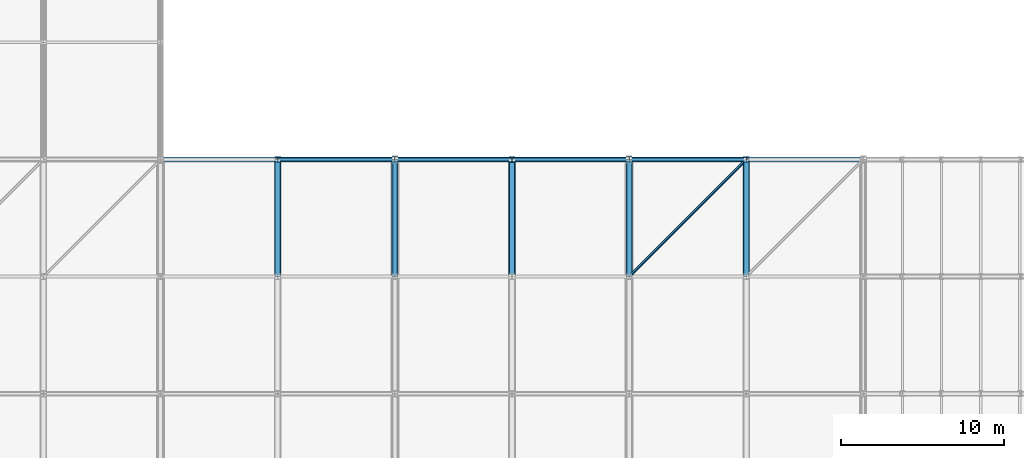
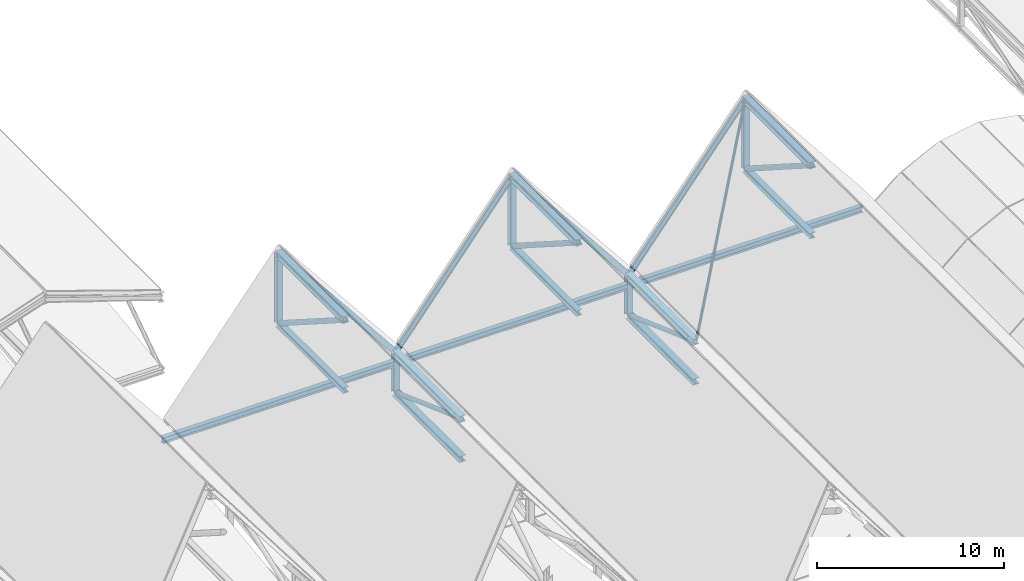
# One storey, part 32 of 60: 25 members, 3 beams.
"""IFC4 building model written with IfcOpenShell, lengths in metres."""

import ifcopenshell
import ifcopenshell.guid

model = None  # the IFC model being written
_history = None  # IfcOwnerHistory: only IFC2X3 demands one
_inside = {}  # id of a spatial element -> (the spatial element, [elements in it])
_under = {}  # id of a project, library or spatial element -> (it, [spatial elements below it])
_declared = {}  # id of a project -> (the project, [libraries it declares])
_typed = {}  # id of a type object -> (the type object, [elements of that type])
_made_of = {}  # id of a material, layer set ... -> (it, [elements and type objects made of it])


def new_model(schema):
    """Start an empty IFC model of exactly this schema.

    Asked for "IFC4X3", IfcOpenShell would pick the latest addendum, in which some entities
    have other attributes; the version numbers below select the first issue.
    IFC2X3 requires an IfcOwnerHistory on every rooted entity: one is made here for all.
    """
    global model, _history
    if schema == "IFC4X3":
        model = ifcopenshell.file(schema_version=(4, 3, 0, 0))
    else:
        model = ifcopenshell.file(schema=schema)
    _inside.clear()
    _under.clear()
    _declared.clear()
    _typed.clear()
    _made_of.clear()
    _history = None
    if model.schema == "IFC2X3":
        org = make("IfcOrganization", Name="unknown")
        user = make(
            "IfcPersonAndOrganization",
            ThePerson=make("IfcPerson", FamilyName="unknown"),
            TheOrganization=org,
        )
        app = make(
            "IfcApplication",
            ApplicationDeveloper=org,
            Version="unknown",
            ApplicationFullName="unknown",
            ApplicationIdentifier="unknown",
        )
        _history = make(
            "IfcOwnerHistory",
            OwningUser=user,
            OwningApplication=app,
            ChangeAction="ADDED",
            CreationDate=0,
        )
    return model


def make(cls, **values):
    """One entity of the class cls with the attributes given. An attribute that is None is left unset."""
    return model.create_entity(
        cls, **{name: value for name, value in values.items() if value is not None}
    )


def rooted(cls, **values):
    """An entity with a GlobalId (a new one), such as an element, a storey or a relation."""
    return make(cls, GlobalId=ifcopenshell.guid.new(), OwnerHistory=_history, **values)


def si_unit(unit_type, name, prefix=None):
    """IfcSIUnit, for example si_unit("LENGTHUNIT", "METRE", prefix="MILLI")."""
    return make("IfcSIUnit", UnitType=unit_type, Prefix=prefix, Name=name)


def assignment(units):
    """IfcUnitAssignment: the units of a project."""
    return None if units is None else make("IfcUnitAssignment", Units=units)


def point(xyz):
    """IfcCartesianPoint."""
    return None if xyz is None else make("IfcCartesianPoint", Coordinates=xyz)


def direction(xyz):
    """IfcDirection."""
    return None if xyz is None else make("IfcDirection", DirectionRatios=xyz)


def frame(location, z_axis=None, x_axis=None):
    """IfcAxis2Placement3D, a coordinate frame: its origin and axes. An axis left out is left unset."""
    return make(
        "IfcAxis2Placement3D",
        Location=point(location),
        Axis=direction(z_axis),
        RefDirection=direction(x_axis),
    )


def frame_2d(location, x_axis=None):
    """IfcAxis2Placement2D, a coordinate frame in the plane: its origin and x axis."""
    return make(
        "IfcAxis2Placement2D", Location=point(location), RefDirection=direction(x_axis)
    )


def origin():
    """The frame at (0, 0, 0) with its axes left unset."""
    return frame((0.0, 0.0, 0.0))


def origin_2d():
    """The frame at (0, 0) in the plane with its x axis left unset."""
    return frame_2d((0.0, 0.0))


def place(relative_to, where):
    """IfcLocalPlacement: puts the frame where relative to a parent placement (None: the world)."""
    return make(
        "IfcLocalPlacement", PlacementRelTo=relative_to, RelativePlacement=where
    )


def context(
    kind, dimensions, precision=None, world=None, true_north=None, identifier=None
):
    """IfcGeometricRepresentationContext, for example the 3D "Model" context."""
    return make(
        "IfcGeometricRepresentationContext",
        ContextIdentifier=identifier,
        ContextType=kind,
        CoordinateSpaceDimension=dimensions,
        Precision=precision,
        WorldCoordinateSystem=world,
        TrueNorth=true_north,
    )


def subcontext(parent, identifier, kind, view, scale=None):
    """IfcGeometricRepresentationSubContext, for example "Body" below "Model"."""
    return make(
        "IfcGeometricRepresentationSubContext",
        ContextIdentifier=identifier,
        ContextType=kind,
        ParentContext=parent,
        TargetScale=scale,
        TargetView=view,
    )


def project(units=None, contexts=None):
    """IfcProject with its units and contexts."""
    return rooted(
        "IfcProject",
        Name="project",
        RepresentationContexts=contexts,
        UnitsInContext=assignment(units),
    )


def spatial(cls, under=None, at=None, **own):
    """A site, building, storey or space (cls), placed at a placement, below another one or the project."""
    s = rooted(cls, ObjectPlacement=at, **own)
    if under is not None:
        _under.setdefault(under.id(), (under, []))[1].append(s)
    return s


def profile(cls, at=None, kind="AREA", **sizes):
    """A parametric profile (cls). Its sizes go by their IFC names, for example OverallWidth=200.0."""
    return make(cls, ProfileType=kind, Position=at, **sizes)


def hollow_circle(**sizes):
    """IfcCircleHollowProfileDef."""
    return profile("IfcCircleHollowProfileDef", **sizes)


def i_section(**sizes):
    """IfcIShapeProfileDef."""
    return profile("IfcIShapeProfileDef", **sizes)


def extrude(swept, where, along, depth):
    """IfcExtrudedAreaSolid: the profile swept, set in the frame where, extruded along a direction by depth."""
    return make(
        "IfcExtrudedAreaSolid",
        SweptArea=swept,
        Position=where,
        ExtrudedDirection=direction(along),
        Depth=depth,
    )


def shape(context_of_items, identifier, shape_type, items):
    """IfcShapeRepresentation: the items that make up one representation, for example the "Body"."""
    return make(
        "IfcShapeRepresentation",
        ContextOfItems=context_of_items,
        RepresentationIdentifier=identifier,
        RepresentationType=shape_type,
        Items=items,
    )


def material(Name=None, Category=None):
    """IfcMaterial."""
    return make("IfcMaterial", Name=Name, Category=Category)


def material_profile(
    of_material, cross_section, Name=None, Category=None, Priority=None
):
    """IfcMaterialProfile: a cross section and its material."""
    return make(
        "IfcMaterialProfile",
        Name=Name,
        Material=of_material,
        Profile=cross_section,
        Priority=Priority,
        Category=Category,
    )


def profile_set(profiles, Name=None, composite=None):
    """IfcMaterialProfileSet."""
    return make(
        "IfcMaterialProfileSet",
        Name=Name,
        MaterialProfiles=profiles,
        CompositeProfile=composite,
    )


def made_of(thing, what):
    """Note that an element or type object is made of a material, layer set ...; save() writes the relation."""
    if what is not None:
        _made_of.setdefault(what.id(), (what, []))[1].append(thing)
    return thing


def type_object(cls, material=None, **own):
    """A type object (cls), such as IfcWallType, which elements share."""
    return made_of(rooted(cls, **own), material)


def element(
    cls,
    number,
    at=None,
    inside=None,
    cuts=None,
    type_object=None,
    material=None,
    context=None,
    identifier="Body",
    shape_type=None,
    held_by="IfcProductDefinitionShape",
    body=None,
    shapes=None,
    **own,
):
    """One element of the class cls, such as IfcWall. Its Tag is "e" and its number.

    at: its placement. inside: the storey or other place that contains it. cuts: it is an
    opening in that element (IfcRelVoidsElement). A single representation is given by context,
    identifier, shape_type and body (its items); several are given by shapes. held_by: the class
    of the entity that holds the representations. save() writes the other relations.
    """
    e = rooted(cls, Tag="e%d" % number, ObjectPlacement=at, **own)
    if body is not None:
        shapes = [shape(context, identifier, shape_type, body)]
    if shapes is not None:
        e.Representation = make(held_by, Representations=shapes)
    if inside is not None:
        _inside.setdefault(inside.id(), (inside, []))[1].append(e)
    if cuts is not None:
        rooted(
            "IfcRelVoidsElement", RelatingBuildingElement=cuts, RelatedOpeningElement=e
        )
    if type_object is not None:
        _typed.setdefault(type_object.id(), (type_object, []))[1].append(e)
    return made_of(e, material)


def aggregate(whole, parts):
    """IfcRelAggregates: a whole, such as a stair, and the parts it consists of."""
    return rooted("IfcRelAggregates", RelatingObject=whole, RelatedObjects=parts)


def save(model, path):
    """Write the relations noted so far, then the file.

    IfcRelAggregates (storeys below a building ...), IfcRelContainedInSpatialStructure (elements
    in a storey), IfcRelDefinesByType, IfcRelAssociatesMaterial and IfcRelDeclares: one each for
    every whole, place, type object, material and project.
    """
    for whole, parts in _under.values():
        aggregate(whole, parts)
    for where, things in _inside.values():
        rooted(
            "IfcRelContainedInSpatialStructure",
            RelatedElements=things,
            RelatingStructure=where,
        )
    for kind, things in _typed.values():
        rooted("IfcRelDefinesByType", RelatedObjects=things, RelatingType=kind)
    for what, things in _made_of.values():
        rooted("IfcRelAssociatesMaterial", RelatedObjects=things, RelatingMaterial=what)
    for by, libraries in _declared.values():
        rooted("IfcRelDeclares", RelatingContext=by, RelatedDefinitions=libraries)
    model.write(path)


model = new_model("IFC4")

# Units and contexts
model_context = context("Model", 3, precision=1e-05, world=origin(), true_north=direction((0.0, 1.0)))
body_context = subcontext(model_context, "Body", "Model", "MODEL_VIEW")
ifc_project = project(units=[si_unit("LENGTHUNIT", "METRE"), si_unit("AREAUNIT", "SQUARE_METRE"), si_unit("VOLUMEUNIT", "CUBIC_METRE"), si_unit("PLANEANGLEUNIT", "RADIAN"), si_unit("MASSUNIT", "GRAM", prefix="KILO")], contexts=[model_context])

# Site, building, storey
site_placement = place(None, origin())
site = spatial("IfcSite", under=ifc_project, at=site_placement, CompositionType="ELEMENT")
building_placement = place(site_placement, origin())
building = spatial("IfcBuilding", under=site, at=building_placement, Name="Vesperath Aquatics Centre", CompositionType="ELEMENT")
storey_placement = place(building_placement, frame((0.0, 0.0, 27.60009765625)))
storey = spatial("IfcBuildingStorey", under=building, at=storey_placement, Name="RF", CompositionType="ELEMENT", Elevation=27.60009765625)

# Beams
ifc_material_1 = material(Name="Steel Q355C", Category="steel")
ifc_material_profile_1 = material_profile(ifc_material_1, i_section(OverallWidth=0.300048828125, OverallDepth=0.389892578125, WebThickness=0.010009765625, FlangeThickness=0.01611328125, FilletRadius=0.02197265625, at=origin_2d()), Name="HM 390x300x10x16")
ifc_profile_set_1 = profile_set([ifc_material_profile_1], Name="Steel Q355C")
beam_type = type_object("IfcBeamType", Name="BM-RB03", PredefinedType="BEAM", material=ifc_profile_set_1)
for number, where, z_axis, x_axis, name in (
    (1, (57.60009765625, 86.39990234375, -10.478759765625), (1.0, 0.0, 0.0), (0.0, 1.0, 0.0), "Natatorium Roof Deck Support Beam B11 G5-86.4"),
    (2, (72.0, 86.39990234375, -10.478759765625), (1.0, 0.0, 0.0), (0.0, 1.0, 0.0), "Natatorium Roof Deck Support Beam B11 G6-86.4"),
):
    element("IfcBeam", number, at=place(storey_placement, frame(where, z_axis=z_axis, x_axis=x_axis)), inside=storey, type_object=beam_type, Name=name, PredefinedType="BEAM", context=body_context, shape_type="SweptSolid", body=[
        extrude(i_section(OverallWidth=0.300048828125, OverallDepth=0.389892578125, WebThickness=0.010009765625, FlangeThickness=0.01611328125, FilletRadius=0.02197265625, at=origin_2d()), origin(), (0.0, 0.0, 1.0), 14.39990234375),
    ])
beam_placement = place(storey_placement, frame((86.39990234375, 86.39990234375, -10.478759765625), z_axis=(1.0, 0.0, 0.0), x_axis=(0.0, 1.0, 0.0)))
element("IfcBeam", 3, at=beam_placement, inside=storey, type_object=beam_type, Name="Natatorium Roof Deck Support Beam B11 G7-86.4", PredefinedType="BEAM", context=body_context, shape_type="SweptSolid", body=[
    extrude(i_section(OverallWidth=0.300048828125, OverallDepth=0.389892578125, WebThickness=0.010009765625, FlangeThickness=0.01611328125, FilletRadius=0.02197265625, at=origin_2d()), origin(), (0.0, 0.0, 1.0), 14.400146484375),
])

# Members
ifc_material_2 = material(Name="Steel Q355D", Category="steel")
ifc_material_profile_2 = material_profile(ifc_material_2, i_section(OverallWidth=0.39990234375, OverallDepth=0.39990234375, WebThickness=0.012939453125, FlangeThickness=0.02099609375, FilletRadius=0.02197265625, at=origin_2d()), Name="HW 400x400x13x21")
ifc_profile_set_2 = profile_set([ifc_material_profile_2], Name="Steel Q355D")
member_type_1 = type_object("IfcMemberType", Name="MB-BC01", PredefinedType="CHORD", material=ifc_profile_set_2)
for number, where, z_axis, x_axis, name in (
    (4, (72.0, 79.199951171875, -12.400146484375), (0.0, 1.0, 0.0), (-1.0, 0.0, 0.0), "Natatorium ROOF TRUSS Bottom Chord BC01 G11-12"),
    (5, (86.39990234375, 79.199951171875, -12.400146484375), (0.0, 1.0, 0.0), (-1.0, 0.0, 0.0), "Natatorium ROOF TRUSS Bottom Chord BC01 G13-12"),
):
    element("IfcMember", number, at=place(storey_placement, frame(where, z_axis=z_axis, x_axis=x_axis)), inside=storey, type_object=member_type_1, Name=name, PredefinedType="CHORD", context=body_context, shape_type="SweptSolid", body=[
        extrude(i_section(OverallWidth=0.39990234375, OverallDepth=0.39990234375, WebThickness=0.012939453125, FlangeThickness=0.02099609375, FilletRadius=0.02197265625, at=origin_2d()), origin(), (0.0, 0.0, 1.0), 7.199951171875),
    ])
ifc_material_profile_3 = material_profile(ifc_material_2, i_section(OverallWidth=0.35009765625, OverallDepth=0.35009765625, WebThickness=0.011962890625, FlangeThickness=0.01904296875, FilletRadius=0.02001953125, at=origin_2d()), Name="HW 350x350x12x19")
ifc_profile_set_3 = profile_set([ifc_material_profile_3], Name="Steel Q355D")
member_type_2 = type_object("IfcMemberType", Name="MB-BC02", PredefinedType="CHORD", material=ifc_profile_set_3)
for number, where, z_axis, x_axis, name in (
    (6, (64.800048828125, 79.199951171875, -5.400146484375), (0.0, 1.0, 0.0), (-1.0, 0.0, 0.0), "Natatorium ROOF TRUSS Bottom Chord BC02 G10-12"),
    (7, (79.199951171875, 79.199951171875, -5.400146484375), (0.0, 1.0, 0.0), (-1.0, 0.0, 0.0), "Natatorium ROOF TRUSS Bottom Chord BC02 G12-12"),
    (8, (93.60009765625, 79.199951171875, -5.400146484375), (0.0, 1.0, 0.0), (-1.0, 0.0, 0.0), "Natatorium ROOF TRUSS Bottom Chord BC02 G14-12"),
):
    element("IfcMember", number, at=place(storey_placement, frame(where, z_axis=z_axis, x_axis=x_axis)), inside=storey, type_object=member_type_2, Name=name, PredefinedType="CHORD", context=body_context, shape_type="SweptSolid", body=[
        extrude(i_section(OverallWidth=0.35009765625, OverallDepth=0.35009765625, WebThickness=0.011962890625, FlangeThickness=0.01904296875, FilletRadius=0.02001953125, at=origin_2d()), origin(), (0.0, 0.0, 1.0), 7.199951171875),
    ])
ifc_material_profile_4 = material_profile(ifc_material_2, hollow_circle(Radius=0.084228515625, WallThickness=0.008056640625, at=origin_2d()), Name="CHS 168.3x8")
ifc_profile_set_4 = profile_set([ifc_material_profile_4], Name="Steel Q355D")
member_type_3 = type_object("IfcMemberType", Name="MB-BR01", PredefinedType="BRACE", material=ifc_profile_set_4)
member_1_placement = place(storey_placement, frame((86.4423828125, 79.242431640625, -9.7470703125), z_axis=(0.529812942826, 0.529812942826, 0.662266178533), x_axis=(-0.707106781187, 0.707106781187, 0.0)))
element("IfcMember", 9, at=member_1_placement, inside=storey, type_object=member_type_3, Name="Natatorium Roof Brace BR01 B13-79", PredefinedType="BRACE", context=body_context, shape_type="SweptSolid", body=[
    extrude(hollow_circle(Radius=0.084228515625, WallThickness=0.008056640625, at=origin_2d()), origin(), (0.0, 0.0, 1.0), 13.4296875),
])
ifc_material_profile_5 = material_profile(ifc_material_1, i_section(OverallWidth=0.175048828125, OverallDepth=0.35009765625, WebThickness=0.007080078125, FlangeThickness=0.010986328125, FilletRadius=0.012939453125, at=origin_2d()), Name="HN 350x175x7x11")
ifc_profile_set_5 = profile_set([ifc_material_profile_5], Name="Steel Q355C")
member_type_4 = type_object("IfcMemberType", Name="MB-PR01", PredefinedType="PURLIN", material=ifc_profile_set_5)
for number, where, z_axis, x_axis, name in (
    (10, (64.800048828125, 86.39990234375, -0.800048828125), (0.624692464322, 0.0, -0.780870876022), (0.0, 1.0, 0.0), "Natatorium Roof Purlin PR01 B10-11"),
    (11, (72.0, 86.39990234375, -9.800048828125), (0.624692464322, 0.0, 0.780870876022), (0.0, 1.0, 0.0), "Natatorium Roof Purlin PR01 B11-11"),
    (12, (79.199951171875, 86.39990234375, -0.800048828125), (0.624692464322, 0.0, -0.780870876022), (0.0, 1.0, 0.0), "Natatorium Roof Purlin PR01 B12-11"),
    (13, (86.39990234375, 86.39990234375, -9.800048828125), (0.624705380279, 0.0, 0.780860543151), (0.0, 1.0, 0.0), "Natatorium Roof Purlin PR01 B13-11"),
):
    element("IfcMember", number, at=place(storey_placement, frame(where, z_axis=z_axis, x_axis=x_axis)), inside=storey, type_object=member_type_4, Name=name, PredefinedType="PURLIN", context=body_context, shape_type="SweptSolid", body=[
        extrude(i_section(OverallWidth=0.175048828125, OverallDepth=0.35009765625, WebThickness=0.007080078125, FlangeThickness=0.010986328125, FilletRadius=0.012939453125, at=origin_2d()), origin(), (0.0, 0.0, 1.0), 11.525634765625),
    ])
ifc_material_profile_6 = material_profile(ifc_material_2, i_section(OverallWidth=0.406982421875, OverallDepth=0.427978515625, WebThickness=0.02001953125, FlangeThickness=0.034912109375, FilletRadius=0.02197265625, at=origin_2d()), Name="HW 428x407x20x35")
ifc_profile_set_6 = profile_set([ifc_material_profile_6], Name="Steel Q355D")
member_type_5 = type_object("IfcMemberType", Name="MB-TC01", PredefinedType="CHORD", material=ifc_profile_set_6)
for number, where, z_axis, x_axis, name in (
    (14, (64.800048828125, 79.199951171875, -0.800048828125), (0.0, 1.0, 0.0), (-1.0, 0.0, 0.0), "Natatorium ROOF TRUSS Top Chord TC01 G10-12"),
    (15, (79.199951171875, 79.199951171875, -0.800048828125), (0.0, 1.0, 0.0), (-1.0, 0.0, 0.0), "Natatorium ROOF TRUSS Top Chord TC01 G12-12"),
    (16, (93.60009765625, 79.199951171875, -0.800048828125), (0.0, 1.0, 0.0), (-1.0, 0.0, 0.0), "Natatorium ROOF TRUSS Top Chord TC01 G14-12"),
):
    element("IfcMember", number, at=place(storey_placement, frame(where, z_axis=z_axis, x_axis=x_axis)), inside=storey, type_object=member_type_5, Name=name, PredefinedType="CHORD", context=body_context, shape_type="SweptSolid", body=[
        extrude(i_section(OverallWidth=0.406982421875, OverallDepth=0.427978515625, WebThickness=0.02001953125, FlangeThickness=0.034912109375, FilletRadius=0.02197265625, at=origin_2d()), origin(), (0.0, 0.0, 1.0), 7.199951171875),
    ])
ifc_material_profile_7 = material_profile(ifc_material_2, i_section(OverallWidth=0.39990234375, OverallDepth=0.39990234375, WebThickness=0.012939453125, FlangeThickness=0.02099609375, FilletRadius=0.02197265625, at=origin_2d()), Name="HW 400x400x13x21")
ifc_profile_set_7 = profile_set([ifc_material_profile_7], Name="Steel Q355D")
member_type_6 = type_object("IfcMemberType", Name="MB-TC02", PredefinedType="CHORD", material=ifc_profile_set_7)
for number, where, z_axis, x_axis, name in (
    (17, (72.0, 79.199951171875, -9.800048828125), (0.0, 1.0, 0.0), (-1.0, 0.0, 0.0), "Natatorium ROOF TRUSS Top Chord TC02 G11-12"),
    (18, (86.39990234375, 79.199951171875, -9.800048828125), (0.0, 1.0, 0.0), (-1.0, 0.0, 0.0), "Natatorium ROOF TRUSS Top Chord TC02 G13-12"),
):
    element("IfcMember", number, at=place(storey_placement, frame(where, z_axis=z_axis, x_axis=x_axis)), inside=storey, type_object=member_type_6, Name=name, PredefinedType="CHORD", context=body_context, shape_type="SweptSolid", body=[
        extrude(i_section(OverallWidth=0.39990234375, OverallDepth=0.39990234375, WebThickness=0.012939453125, FlangeThickness=0.02099609375, FilletRadius=0.02197265625, at=origin_2d()), origin(), (0.0, 0.0, 1.0), 7.199951171875),
    ])
ifc_material_profile_8 = material_profile(ifc_material_2, hollow_circle(Radius=0.161865234375, WallThickness=0.013916015625, at=origin_2d()), Name="CHS 323.9x14")
ifc_profile_set_8 = profile_set([ifc_material_profile_8], Name="Steel Q355D")
member_type_7 = type_object("IfcMemberType", Name="MB-TD01", PredefinedType="BRACE", material=ifc_profile_set_8)
for number, where, z_axis, x_axis, name in (
    (19, (64.800048828125, 79.267333984375, -0.84326171875), (0.0, 0.84270690245, -0.538372618698), (-1.0, 0.0, 0.0), "Natatorium ROOF TRUSS Diagonal TD01 G10-12"),
    (20, (79.199951171875, 79.267333984375, -0.84326171875), (0.0, 0.84270690245, -0.538372618698), (-1.0, 0.0, 0.0), "Natatorium ROOF TRUSS Diagonal TD01 G12-12"),
    (21, (93.60009765625, 79.267333984375, -0.84326171875), (0.0, 0.84270690245, -0.538372618698), (-1.0, 0.0, 0.0), "Natatorium ROOF TRUSS Diagonal TD01 G14-12"),
):
    element("IfcMember", number, at=place(storey_placement, frame(where, z_axis=z_axis, x_axis=x_axis)), inside=storey, type_object=member_type_7, Name=name, PredefinedType="BRACE", context=body_context, shape_type="SweptSolid", body=[
        extrude(hollow_circle(Radius=0.161865234375, WallThickness=0.013916015625, at=origin_2d()), origin(), (0.0, 0.0, 1.0), 8.384033203125),
    ])
ifc_material_profile_9 = material_profile(ifc_material_2, hollow_circle(Radius=0.136474609375, WallThickness=0.011962890625, at=origin_2d()), Name="CHS 273.0x12")
ifc_profile_set_9 = profile_set([ifc_material_profile_9], Name="Steel Q355D")
member_type_8 = type_object("IfcMemberType", Name="MB-TD02", PredefinedType="BRACE", material=ifc_profile_set_9)
for number, where, z_axis, x_axis, name in (
    (22, (72.0, 79.275146484375, -9.8271484375), (0.0, 0.940544360889, -0.339670877761), (-1.0, 0.0, 0.0), "Natatorium ROOF TRUSS Diagonal TD02 G11-12"),
    (23, (86.39990234375, 79.275146484375, -9.8271484375), (0.0, 0.940544360889, -0.339670877761), (-1.0, 0.0, 0.0), "Natatorium ROOF TRUSS Diagonal TD02 G13-12"),
):
    element("IfcMember", number, at=place(storey_placement, frame(where, z_axis=z_axis, x_axis=x_axis)), inside=storey, type_object=member_type_8, Name=name, PredefinedType="BRACE", context=body_context, shape_type="SweptSolid", body=[
        extrude(hollow_circle(Radius=0.136474609375, WallThickness=0.011962890625, at=origin_2d()), origin(), (0.0, 0.0, 1.0), 7.4951171875),
    ])
ifc_material_profile_10 = material_profile(ifc_material_2, i_section(OverallWidth=0.35009765625, OverallDepth=0.35009765625, WebThickness=0.011962890625, FlangeThickness=0.01904296875, FilletRadius=0.02001953125, at=origin_2d()), Name="HW 350x350x12x19")
ifc_profile_set_10 = profile_set([ifc_material_profile_10], Name="Steel Q355D")
member_type_9 = type_object("IfcMemberType", Name="MB-TP01", PredefinedType="POST", material=ifc_profile_set_10)
member_2_placement = place(storey_placement, frame((64.800048828125, 86.39990234375, -5.400146484375), z_axis=(0.0, 0.0, 1.0), x_axis=(1.0, 0.0, 0.0)))
element("IfcMember", 24, at=member_2_placement, inside=storey, type_object=member_type_9, Name="Natatorium ROOF TRUSS Post TP01 G10-13", PredefinedType="POST", context=body_context, shape_type="SweptSolid", body=[
    extrude(i_section(OverallWidth=0.35009765625, OverallDepth=0.35009765625, WebThickness=0.011962890625, FlangeThickness=0.01904296875, FilletRadius=0.02001953125, at=origin_2d()), origin(), (0.0, 0.0, 1.0), 4.60009765625),
])
member_3_placement = place(storey_placement, frame((72.0, 86.39990234375, -12.400146484375), z_axis=(0.0, 0.0, 1.0), x_axis=(1.0, 0.0, 0.0)))
element("IfcMember", 25, at=member_3_placement, inside=storey, type_object=member_type_9, Name="Natatorium ROOF TRUSS Post TP01 G11-13", PredefinedType="POST", context=body_context, shape_type="SweptSolid", body=[
    extrude(i_section(OverallWidth=0.35009765625, OverallDepth=0.35009765625, WebThickness=0.011962890625, FlangeThickness=0.01904296875, FilletRadius=0.02001953125, at=origin_2d()), origin(), (0.0, 0.0, 1.0), 2.60009765625),
])
member_4_placement = place(storey_placement, frame((79.199951171875, 86.39990234375, -5.400146484375), z_axis=(0.0, 0.0, 1.0), x_axis=(1.0, 0.0, 0.0)))
element("IfcMember", 26, at=member_4_placement, inside=storey, type_object=member_type_9, Name="Natatorium ROOF TRUSS Post TP01 G12-13", PredefinedType="POST", context=body_context, shape_type="SweptSolid", body=[
    extrude(i_section(OverallWidth=0.35009765625, OverallDepth=0.35009765625, WebThickness=0.011962890625, FlangeThickness=0.01904296875, FilletRadius=0.02001953125, at=origin_2d()), origin(), (0.0, 0.0, 1.0), 4.60009765625),
])
member_5_placement = place(storey_placement, frame((86.39990234375, 86.39990234375, -12.400146484375), z_axis=(0.0, 0.0, 1.0), x_axis=(1.0, 0.0, 0.0)))
element("IfcMember", 27, at=member_5_placement, inside=storey, type_object=member_type_9, Name="Natatorium ROOF TRUSS Post TP01 G13-13", PredefinedType="POST", context=body_context, shape_type="SweptSolid", body=[
    extrude(i_section(OverallWidth=0.35009765625, OverallDepth=0.35009765625, WebThickness=0.011962890625, FlangeThickness=0.01904296875, FilletRadius=0.02001953125, at=origin_2d()), origin(), (0.0, 0.0, 1.0), 2.60009765625),
])
member_6_placement = place(storey_placement, frame((93.60009765625, 86.39990234375, -5.400146484375), z_axis=(0.0, 0.0, 1.0), x_axis=(1.0, 0.0, 0.0)))
element("IfcMember", 28, at=member_6_placement, inside=storey, type_object=member_type_9, Name="Natatorium ROOF TRUSS Post TP01 G14-13", PredefinedType="POST", context=body_context, shape_type="SweptSolid", body=[
    extrude(i_section(OverallWidth=0.35009765625, OverallDepth=0.35009765625, WebThickness=0.011962890625, FlangeThickness=0.01904296875, FilletRadius=0.02001953125, at=origin_2d()), origin(), (0.0, 0.0, 1.0), 4.60009765625),
])

save(model, "model.ifc")
